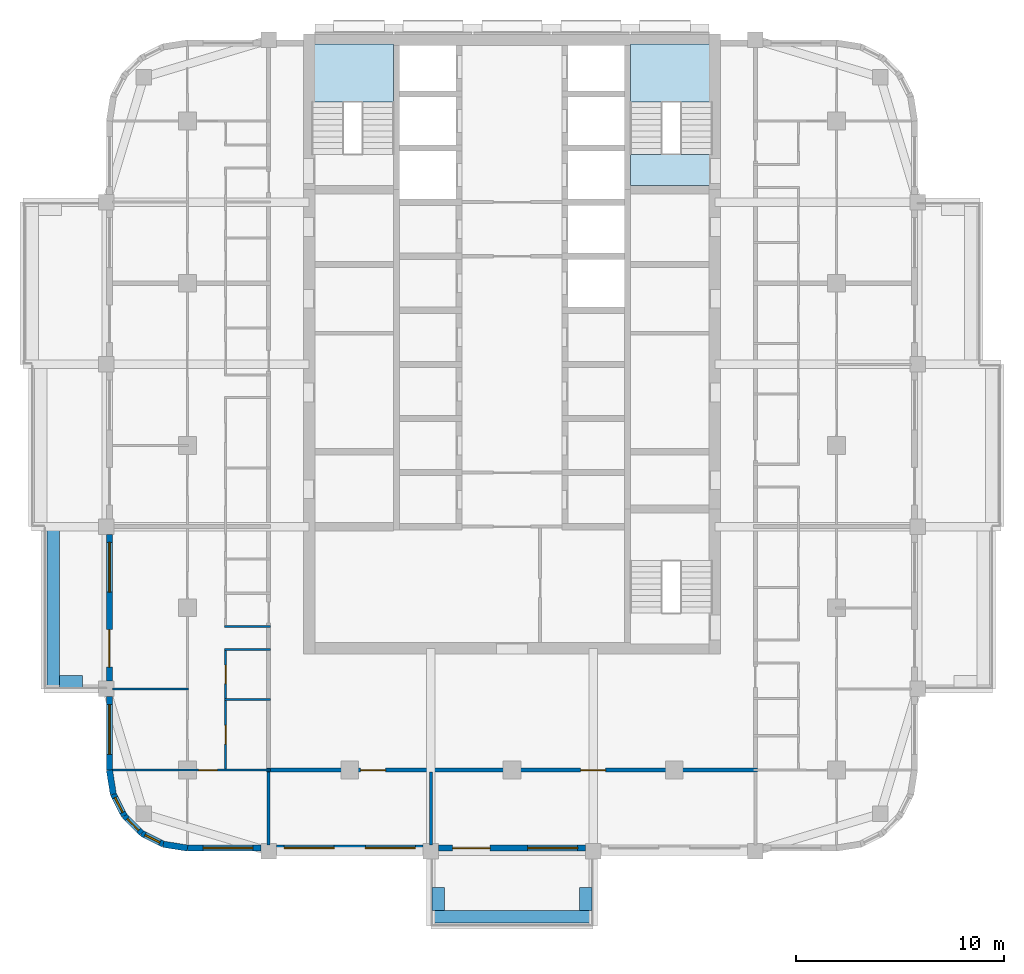
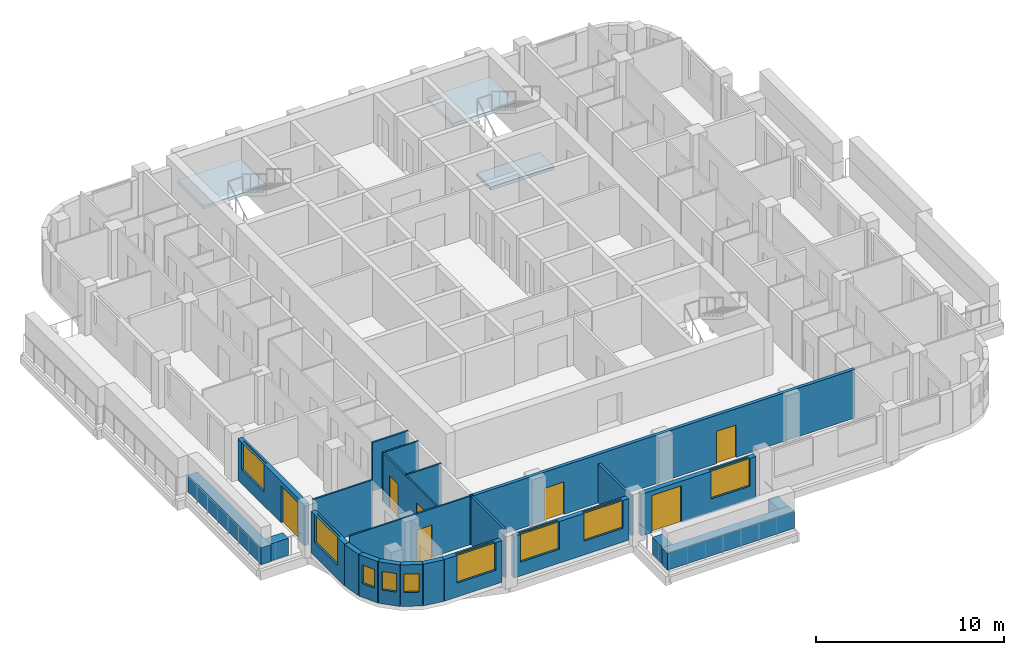
# One storey, part 2 of 13: 24 walls, 9 windows, 7 doors, 3 slabs, 16 openings, 2 elements without a shape of their own.
"""IFC4 building model written with IfcOpenShell, lengths in metres."""

import ifcopenshell
import ifcopenshell.guid

model = None  # the IFC model being written
_history = None  # IfcOwnerHistory: only IFC2X3 demands one
_inside = {}  # id of a spatial element -> (the spatial element, [elements in it])
_under = {}  # id of a project, library or spatial element -> (it, [spatial elements below it])
_declared = {}  # id of a project -> (the project, [libraries it declares])
_typed = {}  # id of a type object -> (the type object, [elements of that type])
_made_of = {}  # id of a material, layer set ... -> (it, [elements and type objects made of it])


def new_model(schema):
    """Start an empty IFC model of exactly this schema.

    Asked for "IFC4X3", IfcOpenShell would pick the latest addendum, in which some entities
    have other attributes; the version numbers below select the first issue.
    IFC2X3 requires an IfcOwnerHistory on every rooted entity: one is made here for all.
    """
    global model, _history
    if schema == "IFC4X3":
        model = ifcopenshell.file(schema_version=(4, 3, 0, 0))
    else:
        model = ifcopenshell.file(schema=schema)
    _inside.clear()
    _under.clear()
    _declared.clear()
    _typed.clear()
    _made_of.clear()
    _history = None
    if model.schema == "IFC2X3":
        org = make("IfcOrganization", Name="unknown")
        user = make(
            "IfcPersonAndOrganization",
            ThePerson=make("IfcPerson", FamilyName="unknown"),
            TheOrganization=org,
        )
        app = make(
            "IfcApplication",
            ApplicationDeveloper=org,
            Version="unknown",
            ApplicationFullName="unknown",
            ApplicationIdentifier="unknown",
        )
        _history = make(
            "IfcOwnerHistory",
            OwningUser=user,
            OwningApplication=app,
            ChangeAction="ADDED",
            CreationDate=0,
        )
    return model


def make(cls, **values):
    """One entity of the class cls with the attributes given. An attribute that is None is left unset."""
    return model.create_entity(
        cls, **{name: value for name, value in values.items() if value is not None}
    )


def rooted(cls, **values):
    """An entity with a GlobalId (a new one), such as an element, a storey or a relation."""
    return make(cls, GlobalId=ifcopenshell.guid.new(), OwnerHistory=_history, **values)


def si_unit(unit_type, name, prefix=None):
    """IfcSIUnit, for example si_unit("LENGTHUNIT", "METRE", prefix="MILLI")."""
    return make("IfcSIUnit", UnitType=unit_type, Prefix=prefix, Name=name)


def assignment(units):
    """IfcUnitAssignment: the units of a project."""
    return None if units is None else make("IfcUnitAssignment", Units=units)


def point(xyz):
    """IfcCartesianPoint."""
    return None if xyz is None else make("IfcCartesianPoint", Coordinates=xyz)


def direction(xyz):
    """IfcDirection."""
    return None if xyz is None else make("IfcDirection", DirectionRatios=xyz)


def frame(location, z_axis=None, x_axis=None):
    """IfcAxis2Placement3D, a coordinate frame: its origin and axes. An axis left out is left unset."""
    return make(
        "IfcAxis2Placement3D",
        Location=point(location),
        Axis=direction(z_axis),
        RefDirection=direction(x_axis),
    )


def frame_2d(location, x_axis=None):
    """IfcAxis2Placement2D, a coordinate frame in the plane: its origin and x axis."""
    return make(
        "IfcAxis2Placement2D", Location=point(location), RefDirection=direction(x_axis)
    )


def origin():
    """The frame at (0, 0, 0) with its axes left unset."""
    return frame((0.0, 0.0, 0.0))


def place(relative_to, where):
    """IfcLocalPlacement: puts the frame where relative to a parent placement (None: the world)."""
    return make(
        "IfcLocalPlacement", PlacementRelTo=relative_to, RelativePlacement=where
    )


def context(
    kind, dimensions, precision=None, world=None, true_north=None, identifier=None
):
    """IfcGeometricRepresentationContext, for example the 3D "Model" context."""
    return make(
        "IfcGeometricRepresentationContext",
        ContextIdentifier=identifier,
        ContextType=kind,
        CoordinateSpaceDimension=dimensions,
        Precision=precision,
        WorldCoordinateSystem=world,
        TrueNorth=true_north,
    )


def subcontext(parent, identifier, kind, view, scale=None):
    """IfcGeometricRepresentationSubContext, for example "Body" below "Model"."""
    return make(
        "IfcGeometricRepresentationSubContext",
        ContextIdentifier=identifier,
        ContextType=kind,
        ParentContext=parent,
        TargetScale=scale,
        TargetView=view,
    )


def project(units=None, contexts=None):
    """IfcProject with its units and contexts."""
    return rooted(
        "IfcProject",
        Name="project",
        RepresentationContexts=contexts,
        UnitsInContext=assignment(units),
    )


def spatial(cls, under=None, at=None, **own):
    """A site, building, storey or space (cls), placed at a placement, below another one or the project."""
    s = rooted(cls, ObjectPlacement=at, **own)
    if under is not None:
        _under.setdefault(under.id(), (under, []))[1].append(s)
    return s


def polyline(points):
    """IfcPolyline through the points."""
    return make("IfcPolyline", Points=[point(p) for p in points])


def profile(cls, at=None, kind="AREA", **sizes):
    """A parametric profile (cls). Its sizes go by their IFC names, for example OverallWidth=200.0."""
    return make(cls, ProfileType=kind, Position=at, **sizes)


def rectangle(**sizes):
    """IfcRectangleProfileDef."""
    return profile("IfcRectangleProfileDef", **sizes)


def outline(outer, holes=None, kind="AREA"):
    """IfcArbitraryClosedProfileDef: a profile drawn as a closed curve; with holes, ...WithVoids."""
    if holes is None:
        return make("IfcArbitraryClosedProfileDef", ProfileType=kind, OuterCurve=outer)
    return make(
        "IfcArbitraryProfileDefWithVoids",
        ProfileType=kind,
        OuterCurve=outer,
        InnerCurves=holes,
    )


def extrude(swept, where, along, depth):
    """IfcExtrudedAreaSolid: the profile swept, set in the frame where, extruded along a direction by depth."""
    return make(
        "IfcExtrudedAreaSolid",
        SweptArea=swept,
        Position=where,
        ExtrudedDirection=direction(along),
        Depth=depth,
    )


def shape(context_of_items, identifier, shape_type, items):
    """IfcShapeRepresentation: the items that make up one representation, for example the "Body"."""
    return make(
        "IfcShapeRepresentation",
        ContextOfItems=context_of_items,
        RepresentationIdentifier=identifier,
        RepresentationType=shape_type,
        Items=items,
    )


def material(Name=None, Category=None):
    """IfcMaterial."""
    return make("IfcMaterial", Name=Name, Category=Category)


def layer(
    of_material, thickness, ventilated=None, Name=None, Category=None, Priority=None
):
    """IfcMaterialLayer: one layer of a wall or slab, of a material (None: an air gap)."""
    return make(
        "IfcMaterialLayer",
        Material=of_material,
        LayerThickness=thickness,
        IsVentilated=ventilated,
        Name=Name,
        Category=Category,
        Priority=Priority,
    )


def layer_set(layers, Name=None):
    """IfcMaterialLayerSet."""
    return make("IfcMaterialLayerSet", MaterialLayers=layers, LayerSetName=Name)


def made_of(thing, what):
    """Note that an element or type object is made of a material, layer set ...; save() writes the relation."""
    if what is not None:
        _made_of.setdefault(what.id(), (what, []))[1].append(thing)
    return thing


def type_object(cls, material=None, **own):
    """A type object (cls), such as IfcWallType, which elements share."""
    return made_of(rooted(cls, **own), material)


def element(
    cls,
    number,
    at=None,
    inside=None,
    cuts=None,
    type_object=None,
    material=None,
    context=None,
    identifier="Body",
    shape_type=None,
    held_by="IfcProductDefinitionShape",
    body=None,
    shapes=None,
    **own,
):
    """One element of the class cls, such as IfcWall. Its Tag is "e" and its number.

    at: its placement. inside: the storey or other place that contains it. cuts: it is an
    opening in that element (IfcRelVoidsElement). A single representation is given by context,
    identifier, shape_type and body (its items); several are given by shapes. held_by: the class
    of the entity that holds the representations. save() writes the other relations.
    """
    e = rooted(cls, Tag="e%d" % number, ObjectPlacement=at, **own)
    if body is not None:
        shapes = [shape(context, identifier, shape_type, body)]
    if shapes is not None:
        e.Representation = make(held_by, Representations=shapes)
    if inside is not None:
        _inside.setdefault(inside.id(), (inside, []))[1].append(e)
    if cuts is not None:
        rooted(
            "IfcRelVoidsElement", RelatingBuildingElement=cuts, RelatedOpeningElement=e
        )
    if type_object is not None:
        _typed.setdefault(type_object.id(), (type_object, []))[1].append(e)
    return made_of(e, material)


def fill(opening, filler):
    """IfcRelFillsElement: the door or window that sits in an opening."""
    return rooted(
        "IfcRelFillsElement",
        RelatingOpeningElement=opening,
        RelatedBuildingElement=filler,
    )


def aggregate(whole, parts):
    """IfcRelAggregates: a whole, such as a stair, and the parts it consists of."""
    return rooted("IfcRelAggregates", RelatingObject=whole, RelatedObjects=parts)


def save(model, path):
    """Write the relations noted so far, then the file.

    IfcRelAggregates (storeys below a building ...), IfcRelContainedInSpatialStructure (elements
    in a storey), IfcRelDefinesByType, IfcRelAssociatesMaterial and IfcRelDeclares: one each for
    every whole, place, type object, material and project.
    """
    for whole, parts in _under.values():
        aggregate(whole, parts)
    for where, things in _inside.values():
        rooted(
            "IfcRelContainedInSpatialStructure",
            RelatedElements=things,
            RelatingStructure=where,
        )
    for kind, things in _typed.values():
        rooted("IfcRelDefinesByType", RelatedObjects=things, RelatingType=kind)
    for what, things in _made_of.values():
        rooted("IfcRelAssociatesMaterial", RelatedObjects=things, RelatingMaterial=what)
    for by, libraries in _declared.values():
        rooted("IfcRelDeclares", RelatingContext=by, RelatedDefinitions=libraries)
    model.write(path)


model = new_model("IFC4")

# Units and contexts
model_context = context("Model", 3, precision=1e-05, world=origin(), true_north=direction((0.0, 1.0)))
body_context = subcontext(model_context, "Body", "Model", "MODEL_VIEW")
ifc_project = project(units=[si_unit("LENGTHUNIT", "METRE"), si_unit("AREAUNIT", "SQUARE_METRE"), si_unit("VOLUMEUNIT", "CUBIC_METRE"), si_unit("PLANEANGLEUNIT", "RADIAN"), si_unit("MASSUNIT", "GRAM", prefix="KILO")], contexts=[model_context])

# Site, building, storey
site_placement = place(None, origin())
site = spatial("IfcSite", under=ifc_project, at=site_placement, CompositionType="ELEMENT")
building_placement = place(site_placement, origin())
building = spatial("IfcBuilding", under=site, at=building_placement, Name="Ludao Terraces", CompositionType="ELEMENT")
storey_placement = place(building_placement, frame((0.0, 0.0, 158.800048828125)))
storey = spatial("IfcBuildingStorey", under=building, at=storey_placement, Name="L43", CompositionType="ELEMENT", Elevation=158.800048828125)

# Stair, slab
ifc_material_1 = material(Name="Concrete C40", Category="concrete")
stair_type = type_object("IfcStairType", Name="INT Stair", PredefinedType="HALF_TURN_STAIR", material=ifc_material_1)
stair_1_placement = place(storey_placement, origin())
stair_1 = element("IfcStair", 1, at=stair_1_placement, inside=storey, type_object=stair_type, Name="EXIT STAIR 1", PredefinedType="HALF_TURN_STAIR")
ifc_layer_1 = layer(ifc_material_1, 0.199951171875)
ifc_layer_set_1 = layer_set([ifc_layer_1], Name="INT Stair landing 200")
slab_type = type_object("IfcSlabType", Name="INT Stair landing 200", PredefinedType="LANDING", material=ifc_layer_set_1)
slab_1_placement = place(storey_placement, frame((0.0, 0.0, 1.5)))
slab_1 = element("IfcSlab", 2, at=slab_1_placement, type_object=slab_type, Name="ST1 landing 1", PredefinedType="LANDING", context=body_context, shape_type="SweptSolid", body=[
    extrude(outline(polyline([(75.39990234375, 81.52001953125), (79.300048828125, 81.52001953125), (79.300048828125, 84.300048828125), (75.39990234375, 84.300048828125), (75.39990234375, 81.52001953125)])), origin(), (0.0, 0.0, 1.0), 0.199951171875),
])
aggregate(stair_1, [slab_1])

# Stair, slabs
stair_2_placement = place(storey_placement, origin())
stair_2 = element("IfcStair", 3, at=stair_2_placement, inside=storey, type_object=stair_type, Name="EXIT STAIR 2", PredefinedType="HALF_TURN_STAIR")
slab_2_placement = place(storey_placement, frame((0.0, 0.0, 1.5)))
slab_2 = element("IfcSlab", 4, at=slab_2_placement, type_object=slab_type, Name="ST2 landing 1", PredefinedType="LANDING", context=body_context, shape_type="SweptSolid", body=[
    extrude(outline(polyline([(90.699951171875, 81.52001953125), (94.60009765625, 81.52001953125), (94.60009765625, 84.300048828125), (90.699951171875, 84.300048828125), (90.699951171875, 81.52001953125)])), origin(), (0.0, 0.0, 1.0), 0.199951171875),
])
slab_3_placement = place(storey_placement, frame((0.0, 0.0, -0.199951171875)))
slab_3 = element("IfcSlab", 5, at=slab_3_placement, type_object=slab_type, Name="ST2 landing 2", PredefinedType="LANDING", context=body_context, shape_type="SweptSolid", body=[
    extrude(outline(polyline([(90.699951171875, 77.5), (94.60009765625, 77.5), (94.60009765625, 79.0), (90.699951171875, 79.0), (90.699951171875, 77.5)])), origin(), (0.0, 0.0, 1.0), 0.199951171875),
])
aggregate(stair_2, [slab_2, slab_3])

# Walls
ifc_layer_2 = layer(ifc_material_1, 0.60009765625)
ifc_layer_set_2 = layer_set([ifc_layer_2], Name="ENV Planter trough 600")
wall_type_1 = type_object("IfcWallType", Name="ENV Planter trough 600", PredefinedType="USERDEFINED", material=ifc_layer_set_2)
wall_1_placement = place(storey_placement, frame((81.10009765625, 42.35009765625, 0.0), z_axis=(0.0, 0.0, 1.0), x_axis=(1.0, 0.0, 0.0)))
element("IfcWall", 6, at=wall_1_placement, inside=storey, type_object=wall_type_1, Name="PL-L43-S1", ObjectType="PLANTER", PredefinedType="USERDEFINED", context=body_context, shape_type="SweptSolid", body=[
    extrude(rectangle(XDim=7.7998046875, YDim=0.60009765625, at=frame_2d((3.89990234375, 0.0))), origin(), (0.0, 0.0, 1.0), 1.099853515625),
])
for number, where, z_axis, x_axis, name in (
    (7, (81.449951171875, 42.64990234375, 0.0), (0.0, 0.0, 1.0), (0.0, 1.0, 0.0), "PL-L43-S1-SA"),
    (8, (88.550048828125, 42.64990234375, 0.0), (0.0, 0.0, 1.0), (0.0, 1.0, 0.0), "PL-L43-S1-SB"),
):
    element("IfcWall", number, at=place(storey_placement, frame(where, z_axis=z_axis, x_axis=x_axis)), inside=storey, type_object=wall_type_1, Name=name, ObjectType="PLANTER", PredefinedType="USERDEFINED", context=body_context, shape_type="SweptSolid", body=[
        extrude(rectangle(XDim=1.10009765625, YDim=0.60009765625, at=frame_2d((0.550048828125, 0.0))), origin(), (0.0, 0.0, 1.0), 1.099853515625),
    ])
wall_2_placement = place(storey_placement, frame((62.949951171875, 53.300048828125, 0.0), z_axis=(0.0, 0.0, 1.0), x_axis=(0.0, 1.0, 0.0)))
element("IfcWall", 9, at=wall_2_placement, inside=storey, type_object=wall_type_1, Name="PL-L43-W1", ObjectType="PLANTER", PredefinedType="USERDEFINED", context=body_context, shape_type="SweptSolid", body=[
    extrude(rectangle(XDim=7.800048828125, YDim=0.60009765625, at=frame_2d((3.89990234375, 0.0))), origin(), (0.0, 0.0, 1.0), 1.099853515625),
])
wall_3_placement = place(storey_placement, frame((63.25, 53.64990234375, 0.0), z_axis=(0.0, 0.0, 1.0), x_axis=(1.0, 0.0, 0.0)))
element("IfcWall", 10, at=wall_3_placement, inside=storey, type_object=wall_type_1, Name="PL-L43-W1-SA", ObjectType="PLANTER", PredefinedType="USERDEFINED", context=body_context, shape_type="SweptSolid", body=[
    extrude(rectangle(XDim=1.10009765625, YDim=0.60009765625, at=frame_2d((0.550048828125, 0.0))), origin(), (0.0, 0.0, 1.0), 1.099853515625),
])

# Wall, opening, window
ifc_material_2 = material(Name="Granite cladding", Category="masonry")
ifc_layer_3 = layer(ifc_material_2, 0.0400390625, Category="stone")
ifc_material_3 = material(Name="Mineral wool")
ifc_layer_4 = layer(ifc_material_3, 0.06005859375)
ifc_layer_5 = layer(ifc_material_1, 0.199951171875, Category="concrete")
ifc_layer_set_3 = layer_set([ifc_layer_3, ifc_layer_4, ifc_layer_5], Name="ENV Stone-clad wall 300")
wall_type_2 = type_object("IfcWallType", Name="ENV Stone-clad wall 300", PredefinedType="SOLIDWALL", material=ifc_layer_set_3)
wall_4_placement = place(storey_placement, frame((69.39990234375, 45.64990234375, 0.0), z_axis=(0.0, 0.0, 1.0), x_axis=(1.0, 0.0, 0.0)))
wall_4 = element("IfcWall", 11, at=wall_4_placement, inside=storey, type_object=wall_type_2, Name="EW-L43-S1", PredefinedType="SOLIDWALL", context=body_context, shape_type="SweptSolid", body=[
    extrude(rectangle(XDim=3.525146484375, YDim=0.300048828125, at=frame_2d((1.7626953125, 0.0))), origin(), (0.0, 0.0, 1.0), 2.699951171875),
])
opening_1_placement = place(wall_4_placement, frame((0.75, 0.0, 0.89990234375)))
opening_1 = element("IfcOpeningElement", 12, at=opening_1_placement, cuts=wall_4, Name="Opening W1", PredefinedType="OPENING", context=body_context, shape_type="SweptSolid", body=[
    extrude(rectangle(XDim=2.39990234375, YDim=1.800048828125, at=frame_2d((1.199951171875, 0.89990234375))), frame((0.0, 0.16015625, 0.0), z_axis=(0.0, -1.0, 0.0), x_axis=(1.0, 0.0, 0.0)), (0.0, 0.0, 1.0), 0.320068359375),
])
ifc_material_4 = material(Name="Clear glass in aluminium frame", Category="aluminium")
ifc_layer_6 = layer(ifc_material_4, 0.06005859375)
ifc_layer_set_4 = layer_set([ifc_layer_6], Name="ENV Window W1 2400x1800")
window_type_1 = type_object("IfcWindowType", Name="ENV Window W1 2400x1800", PartitioningType="DOUBLE_PANEL_VERTICAL", PredefinedType="WINDOW", material=ifc_layer_set_4)
window_1_placement = place(opening_1_placement, origin())
window_1 = element("IfcWindow", 13, at=window_1_placement, inside=storey, type_object=window_type_1, Name="W-L43-S1-1", OverallHeight=1.800048828125, OverallWidth=2.39990234375, PartitioningType="DOUBLE_PANEL_VERTICAL", PredefinedType="WINDOW", context=body_context, shape_type="SweptSolid", body=[
    extrude(rectangle(XDim=2.39990234375, YDim=1.800048828125, at=frame_2d((1.199951171875, 0.89990234375))), frame((0.0, 0.030029296875, 0.0), z_axis=(0.0, -1.0, 0.0), x_axis=(1.0, 0.0, 0.0)), (0.0, 0.0, 1.0), 0.06005859375),
])
fill(opening_1, window_1)

# Wall, openings, windows
wall_5_placement = place(storey_placement, frame((73.675048828125, 45.64990234375, 0.0), z_axis=(0.0, 0.0, 1.0), x_axis=(1.0, 0.0, 0.0)))
wall_5 = element("IfcWall", 14, at=wall_5_placement, inside=storey, type_object=wall_type_2, Name="EW-L43-S2", PredefinedType="SOLIDWALL", context=body_context, shape_type="SweptSolid", body=[
    extrude(rectangle(XDim=7.050048828125, YDim=0.300048828125, at=frame_2d((3.52490234375, 0.0))), origin(), (0.0, 0.0, 1.0), 2.699951171875),
])
opening_2_placement = place(wall_5_placement, frame((0.375, 0.0, 0.89990234375)))
opening_2 = element("IfcOpeningElement", 15, at=opening_2_placement, cuts=wall_5, Name="Opening W1", PredefinedType="OPENING", context=body_context, shape_type="SweptSolid", body=[
    extrude(rectangle(XDim=2.39990234375, YDim=1.800048828125, at=frame_2d((1.199951171875, 0.89990234375))), frame((0.0, 0.16015625, 0.0), z_axis=(0.0, -1.0, 0.0), x_axis=(1.0, 0.0, 0.0)), (0.0, 0.0, 1.0), 0.320068359375),
])
opening_3_placement = place(wall_5_placement, frame((4.27490234375, 0.0, 0.89990234375)))
opening_3 = element("IfcOpeningElement", 16, at=opening_3_placement, cuts=wall_5, Name="Opening W1", PredefinedType="OPENING", context=body_context, shape_type="SweptSolid", body=[
    extrude(rectangle(XDim=2.39990234375, YDim=1.800048828125, at=frame_2d((1.199951171875, 0.89990234375))), frame((0.0, 0.16015625, 0.0), z_axis=(0.0, -1.0, 0.0), x_axis=(1.0, 0.0, 0.0)), (0.0, 0.0, 1.0), 0.320068359375),
])
window_2_placement = place(opening_2_placement, origin())
window_2 = element("IfcWindow", 17, at=window_2_placement, inside=storey, type_object=window_type_1, Name="W-L43-S2-1", OverallHeight=1.800048828125, OverallWidth=2.39990234375, PartitioningType="DOUBLE_PANEL_VERTICAL", PredefinedType="WINDOW", context=body_context, shape_type="SweptSolid", body=[
    extrude(rectangle(XDim=2.39990234375, YDim=1.800048828125, at=frame_2d((1.199951171875, 0.89990234375))), frame((0.0, 0.030029296875, 0.0), z_axis=(0.0, -1.0, 0.0), x_axis=(1.0, 0.0, 0.0)), (0.0, 0.0, 1.0), 0.06005859375),
])
fill(opening_2, window_2)
window_3_placement = place(opening_3_placement, origin())
window_3 = element("IfcWindow", 18, at=window_3_placement, inside=storey, type_object=window_type_1, Name="W-L43-S2-2", OverallHeight=1.800048828125, OverallWidth=2.39990234375, PartitioningType="DOUBLE_PANEL_VERTICAL", PredefinedType="WINDOW", context=body_context, shape_type="SweptSolid", body=[
    extrude(rectangle(XDim=2.39990234375, YDim=1.800048828125, at=frame_2d((1.199951171875, 0.89990234375))), frame((0.0, 0.030029296875, 0.0), z_axis=(0.0, -1.0, 0.0), x_axis=(1.0, 0.0, 0.0)), (0.0, 0.0, 1.0), 0.06005859375),
])
fill(opening_3, window_3)

# Wall, openings, door, window
wall_6_placement = place(storey_placement, frame((81.47509765625, 45.64990234375, 0.0), z_axis=(0.0, 0.0, 1.0), x_axis=(1.0, 0.0, 0.0)))
wall_6 = element("IfcWall", 19, at=wall_6_placement, inside=storey, type_object=wall_type_2, Name="EW-L43-S3", PredefinedType="SOLIDWALL", context=body_context, shape_type="SweptSolid", body=[
    extrude(rectangle(XDim=7.0498046875, YDim=0.300048828125, at=frame_2d((3.52490234375, 0.0))), origin(), (0.0, 0.0, 1.0), 2.699951171875),
])
opening_4_placement = place(wall_6_placement, frame((0.675048828125, 0.0, 0.0)))
opening_4 = element("IfcOpeningElement", 20, at=opening_4_placement, cuts=wall_6, Name="Opening BD", PredefinedType="OPENING", context=body_context, shape_type="SweptSolid", body=[
    extrude(rectangle(XDim=1.800048828125, YDim=2.39990234375, at=frame_2d((0.89990234375, 1.199951171875))), frame((0.0, 0.16015625, 0.0), z_axis=(0.0, -1.0, 0.0), x_axis=(1.0, 0.0, 0.0)), (0.0, 0.0, 1.0), 0.320068359375),
])
opening_5_placement = place(wall_6_placement, frame((4.27490234375, 0.0, 0.89990234375)))
opening_5 = element("IfcOpeningElement", 21, at=opening_5_placement, cuts=wall_6, Name="Opening W1", PredefinedType="OPENING", context=body_context, shape_type="SweptSolid", body=[
    extrude(rectangle(XDim=2.39990234375, YDim=1.800048828125, at=frame_2d((1.199951171875, 0.89990234375))), frame((0.0, 0.16015625, 0.0), z_axis=(0.0, -1.0, 0.0), x_axis=(1.0, 0.0, 0.0)), (0.0, 0.0, 1.0), 0.320068359375),
])
ifc_material_5 = material(Name="Aluminium glazed door", Category="aluminium")
ifc_layer_7 = layer(ifc_material_5, 0.06005859375)
ifc_layer_set_5 = layer_set([ifc_layer_7], Name="ENV Balcony door BD 1800x2400")
door_type_1 = type_object("IfcDoorType", Name="ENV Balcony door BD 1800x2400", OperationType="DOUBLE_DOOR_SINGLE_SWING", PredefinedType="DOOR", material=ifc_layer_set_5)
door_1_placement = place(opening_4_placement, origin())
door_1 = element("IfcDoor", 22, at=door_1_placement, inside=storey, type_object=door_type_1, Name="BD-L43-S3-1", OperationType="DOUBLE_DOOR_SINGLE_SWING", OverallHeight=2.39990234375, OverallWidth=1.800048828125, PredefinedType="DOOR", context=body_context, shape_type="SweptSolid", body=[
    extrude(rectangle(XDim=1.800048828125, YDim=2.39990234375, at=frame_2d((0.89990234375, 1.199951171875))), frame((0.0, 0.02490234375, 0.0), z_axis=(0.0, -1.0, 0.0), x_axis=(1.0, 0.0, 0.0)), (0.0, 0.0, 1.0), 0.050048828125),
])
fill(opening_4, door_1)
window_4_placement = place(opening_5_placement, origin())
window_4 = element("IfcWindow", 23, at=window_4_placement, inside=storey, type_object=window_type_1, Name="W-L43-S3-2", OverallHeight=1.800048828125, OverallWidth=2.39990234375, PartitioningType="DOUBLE_PANEL_VERTICAL", PredefinedType="WINDOW", context=body_context, shape_type="SweptSolid", body=[
    extrude(rectangle(XDim=2.39990234375, YDim=1.800048828125, at=frame_2d((1.199951171875, 0.89990234375))), frame((0.0, 0.030029296875, 0.0), z_axis=(0.0, -1.0, 0.0), x_axis=(1.0, 0.0, 0.0)), (0.0, 0.0, 1.0), 0.06005859375),
])
fill(opening_5, window_4)

# Wall, opening, window
wall_7_placement = place(storey_placement, frame((65.64990234375, 49.39990234375, 0.0), z_axis=(0.0, 0.0, 1.0), x_axis=(0.0, 1.0, 0.0)))
wall_7 = element("IfcWall", 24, at=wall_7_placement, inside=storey, type_object=wall_type_2, Name="EW-L43-W1", PredefinedType="SOLIDWALL", context=body_context, shape_type="SweptSolid", body=[
    extrude(rectangle(XDim=3.525146484375, YDim=0.300048828125, at=frame_2d((1.7626953125, 0.0))), origin(), (0.0, 0.0, 1.0), 2.699951171875),
])
opening_6_placement = place(wall_7_placement, frame((0.75, 0.0, 0.89990234375)))
opening_6 = element("IfcOpeningElement", 25, at=opening_6_placement, cuts=wall_7, Name="Opening W1", PredefinedType="OPENING", context=body_context, shape_type="SweptSolid", body=[
    extrude(rectangle(XDim=2.39990234375, YDim=1.800048828125, at=frame_2d((1.199951171875, 0.89990234375))), frame((0.0, 0.16015625, 0.0), z_axis=(0.0, -1.0, 0.0), x_axis=(1.0, 0.0, 0.0)), (0.0, 0.0, 1.0), 0.320068359375),
])
window_5_placement = place(opening_6_placement, origin())
window_5 = element("IfcWindow", 26, at=window_5_placement, inside=storey, type_object=window_type_1, Name="W-L43-W1-1", OverallHeight=1.800048828125, OverallWidth=2.39990234375, PartitioningType="DOUBLE_PANEL_VERTICAL", PredefinedType="WINDOW", context=body_context, shape_type="SweptSolid", body=[
    extrude(rectangle(XDim=2.39990234375, YDim=1.800048828125, at=frame_2d((1.199951171875, 0.89990234375))), frame((0.0, 0.030029296875, 0.0), z_axis=(0.0, -1.0, 0.0), x_axis=(1.0, 0.0, 0.0)), (0.0, 0.0, 1.0), 0.06005859375),
])
fill(opening_6, window_5)

# Wall, openings, door, window
wall_8_placement = place(storey_placement, frame((65.64990234375, 53.675048828125, 0.0), z_axis=(0.0, 0.0, 1.0), x_axis=(0.0, 1.0, 0.0)))
wall_8 = element("IfcWall", 27, at=wall_8_placement, inside=storey, type_object=wall_type_2, Name="EW-L43-W2", PredefinedType="SOLIDWALL", context=body_context, shape_type="SweptSolid", body=[
    extrude(rectangle(XDim=7.050048828125, YDim=0.300048828125, at=frame_2d((3.52490234375, 0.0))), origin(), (0.0, 0.0, 1.0), 2.699951171875),
])
opening_7_placement = place(wall_8_placement, frame((0.675048828125, 0.0, 0.0)))
opening_7 = element("IfcOpeningElement", 28, at=opening_7_placement, cuts=wall_8, Name="Opening BD", PredefinedType="OPENING", context=body_context, shape_type="SweptSolid", body=[
    extrude(rectangle(XDim=1.800048828125, YDim=2.39990234375, at=frame_2d((0.89990234375, 1.199951171875))), frame((0.0, 0.16015625, 0.0), z_axis=(0.0, -1.0, 0.0), x_axis=(1.0, 0.0, 0.0)), (0.0, 0.0, 1.0), 0.320068359375),
])
opening_8_placement = place(wall_8_placement, frame((4.27490234375, 0.0, 0.89990234375)))
opening_8 = element("IfcOpeningElement", 29, at=opening_8_placement, cuts=wall_8, Name="Opening W1", PredefinedType="OPENING", context=body_context, shape_type="SweptSolid", body=[
    extrude(rectangle(XDim=2.39990234375, YDim=1.800048828125, at=frame_2d((1.199951171875, 0.89990234375))), frame((0.0, 0.16015625, 0.0), z_axis=(0.0, -1.0, 0.0), x_axis=(1.0, 0.0, 0.0)), (0.0, 0.0, 1.0), 0.320068359375),
])
door_2_placement = place(opening_7_placement, origin())
door_2 = element("IfcDoor", 30, at=door_2_placement, inside=storey, type_object=door_type_1, Name="BD-L43-W2-1", OperationType="DOUBLE_DOOR_SINGLE_SWING", OverallHeight=2.39990234375, OverallWidth=1.800048828125, PredefinedType="DOOR", context=body_context, shape_type="SweptSolid", body=[
    extrude(rectangle(XDim=1.800048828125, YDim=2.39990234375, at=frame_2d((0.89990234375, 1.199951171875))), frame((0.0, 0.02490234375, 0.0), z_axis=(0.0, -1.0, 0.0), x_axis=(1.0, 0.0, 0.0)), (0.0, 0.0, 1.0), 0.050048828125),
])
fill(opening_7, door_2)
window_6_placement = place(opening_8_placement, origin())
window_6 = element("IfcWindow", 31, at=window_6_placement, inside=storey, type_object=window_type_1, Name="W-L43-W2-2", OverallHeight=1.800048828125, OverallWidth=2.39990234375, PartitioningType="DOUBLE_PANEL_VERTICAL", PredefinedType="WINDOW", context=body_context, shape_type="SweptSolid", body=[
    extrude(rectangle(XDim=2.39990234375, YDim=1.800048828125, at=frame_2d((1.199951171875, 0.89990234375))), frame((0.0, 0.030029296875, 0.0), z_axis=(0.0, -1.0, 0.0), x_axis=(1.0, 0.0, 0.0)), (0.0, 0.0, 1.0), 0.06005859375),
])
fill(opening_8, window_6)

# Wall
wall_9_placement = place(storey_placement, frame((65.64990234375, 49.39990234375, 0.0), z_axis=(0.0, 0.0, 1.0), x_axis=(0.156496880861, -0.987678452879, 0.0)))
element("IfcWall", 32, at=wall_9_placement, inside=storey, type_object=wall_type_2, Name="EW-L43-SW1", PredefinedType="SOLIDWALL", context=body_context, shape_type="SweptSolid", body=[
    extrude(rectangle(XDim=1.173095703125, YDim=0.300048828125, at=frame_2d((0.58642578125, 0.0))), origin(), (0.0, 0.0, 1.0), 2.699951171875),
])

# Wall, opening, window
wall_10_placement = place(storey_placement, frame((65.83349609375, 48.2412109375, 0.0), z_axis=(0.0, 0.0, 1.0), x_axis=(0.454025524128, -0.890988677504, 0.0)))
wall_10 = element("IfcWall", 33, at=wall_10_placement, inside=storey, type_object=wall_type_2, Name="EW-L43-SW2", PredefinedType="SOLIDWALL", context=body_context, shape_type="SweptSolid", body=[
    extrude(rectangle(XDim=1.17333984375, YDim=0.300048828125, at=frame_2d((0.586669921875, 0.0))), origin(), (0.0, 0.0, 1.0), 2.699951171875),
])
opening_9_placement = place(wall_10_placement, frame((0.1865234375, 0.0, 0.89990234375)))
opening_9 = element("IfcOpeningElement", 34, at=opening_9_placement, cuts=wall_10, Name="Opening W3", PredefinedType="OPENING", context=body_context, shape_type="SweptSolid", body=[
    extrude(rectangle(XDim=0.800048828125, YDim=1.199951171875, at=frame_2d((0.39990234375, 0.60009765625))), frame((0.0, 0.16015625, 0.0), z_axis=(0.0, -1.0, 0.0), x_axis=(1.0, 0.0, 0.0)), (0.0, 0.0, 1.0), 0.320068359375),
])
ifc_layer_8 = layer(ifc_material_4, 0.06005859375)
ifc_layer_set_6 = layer_set([ifc_layer_8], Name="ENV Window W3 800x1200")
window_type_2 = type_object("IfcWindowType", Name="ENV Window W3 800x1200", PartitioningType="SINGLE_PANEL", PredefinedType="WINDOW", material=ifc_layer_set_6)
window_7_placement = place(opening_9_placement, origin())
window_7 = element("IfcWindow", 35, at=window_7_placement, inside=storey, type_object=window_type_2, Name="W-L43-SW2", OverallHeight=1.199951171875, OverallWidth=0.800048828125, PartitioningType="SINGLE_PANEL", PredefinedType="WINDOW", context=body_context, shape_type="SweptSolid", body=[
    extrude(rectangle(XDim=0.800048828125, YDim=1.199951171875, at=frame_2d((0.39990234375, 0.60009765625))), frame((0.0, 0.030029296875, 0.0), z_axis=(0.0, -1.0, 0.0), x_axis=(1.0, 0.0, 0.0)), (0.0, 0.0, 1.0), 0.06005859375),
])
fill(opening_9, window_7)

wall_11_placement = place(storey_placement, frame((66.3662109375, 47.19580078125, 0.0), z_axis=(0.0, 0.0, 1.0), x_axis=(0.707106781187, -0.707106781187, 0.0)))
wall_11 = element("IfcWall", 36, at=wall_11_placement, inside=storey, type_object=wall_type_2, Name="EW-L43-SW3", PredefinedType="SOLIDWALL", context=body_context, shape_type="SweptSolid", body=[
    extrude(rectangle(XDim=1.173095703125, YDim=0.300048828125, at=frame_2d((0.58642578125, 0.0))), origin(), (0.0, 0.0, 1.0), 2.699951171875),
])
opening_10_placement = place(wall_11_placement, frame((0.1865234375, 0.0, 0.89990234375)))
opening_10 = element("IfcOpeningElement", 37, at=opening_10_placement, cuts=wall_11, Name="Opening W3", PredefinedType="OPENING", context=body_context, shape_type="SweptSolid", body=[
    extrude(rectangle(XDim=0.800048828125, YDim=1.199951171875, at=frame_2d((0.39990234375, 0.60009765625))), frame((0.0, 0.16015625, 0.0), z_axis=(0.0, -1.0, 0.0), x_axis=(1.0, 0.0, 0.0)), (0.0, 0.0, 1.0), 0.320068359375),
])
window_8_placement = place(opening_10_placement, origin())
window_8 = element("IfcWindow", 38, at=window_8_placement, inside=storey, type_object=window_type_2, Name="W-L43-SW3", OverallHeight=1.199951171875, OverallWidth=0.800048828125, PartitioningType="SINGLE_PANEL", PredefinedType="WINDOW", context=body_context, shape_type="SweptSolid", body=[
    extrude(rectangle(XDim=0.800048828125, YDim=1.199951171875, at=frame_2d((0.39990234375, 0.60009765625))), frame((0.0, 0.030029296875, 0.0), z_axis=(0.0, -1.0, 0.0), x_axis=(1.0, 0.0, 0.0)), (0.0, 0.0, 1.0), 0.06005859375),
])
fill(opening_10, window_8)

wall_12_placement = place(storey_placement, frame((67.19580078125, 46.3662109375, 0.0), z_axis=(0.0, 0.0, 1.0), x_axis=(0.890988677504, -0.454025524128, 0.0)))
wall_12 = element("IfcWall", 39, at=wall_12_placement, inside=storey, type_object=wall_type_2, Name="EW-L43-SW4", PredefinedType="SOLIDWALL", context=body_context, shape_type="SweptSolid", body=[
    extrude(rectangle(XDim=1.17333984375, YDim=0.300048828125, at=frame_2d((0.586669921875, 0.0))), origin(), (0.0, 0.0, 1.0), 2.699951171875),
])
opening_11_placement = place(wall_12_placement, frame((0.1865234375, 0.0, 0.89990234375)))
opening_11 = element("IfcOpeningElement", 40, at=opening_11_placement, cuts=wall_12, Name="Opening W3", PredefinedType="OPENING", context=body_context, shape_type="SweptSolid", body=[
    extrude(rectangle(XDim=0.800048828125, YDim=1.199951171875, at=frame_2d((0.39990234375, 0.60009765625))), frame((0.0, 0.16015625, 0.0), z_axis=(0.0, -1.0, 0.0), x_axis=(1.0, 0.0, 0.0)), (0.0, 0.0, 1.0), 0.320068359375),
])
window_9_placement = place(opening_11_placement, origin())
window_9 = element("IfcWindow", 41, at=window_9_placement, inside=storey, type_object=window_type_2, Name="W-L43-SW4", OverallHeight=1.199951171875, OverallWidth=0.800048828125, PartitioningType="SINGLE_PANEL", PredefinedType="WINDOW", context=body_context, shape_type="SweptSolid", body=[
    extrude(rectangle(XDim=0.800048828125, YDim=1.199951171875, at=frame_2d((0.39990234375, 0.60009765625))), frame((0.0, 0.030029296875, 0.0), z_axis=(0.0, -1.0, 0.0), x_axis=(1.0, 0.0, 0.0)), (0.0, 0.0, 1.0), 0.06005859375),
])
fill(opening_11, window_9)

# Wall
wall_13_placement = place(storey_placement, frame((68.2412109375, 45.83349609375, 0.0), z_axis=(0.0, 0.0, 1.0), x_axis=(0.987678452879, -0.156496880861, 0.0)))
element("IfcWall", 42, at=wall_13_placement, inside=storey, type_object=wall_type_2, Name="EW-L43-SW5", PredefinedType="SOLIDWALL", context=body_context, shape_type="SweptSolid", body=[
    extrude(rectangle(XDim=1.173095703125, YDim=0.300048828125, at=frame_2d((0.58642578125, 0.0))), origin(), (0.0, 0.0, 1.0), 2.699951171875),
])

# Wall, openings, doors
ifc_material_6 = material(Name="Autoclaved aerated concrete block B06 A3.5", Category="concrete")
ifc_layer_9 = layer(ifc_material_6, 0.199951171875)
ifc_layer_set_7 = layer_set([ifc_layer_9], Name="INT Entrance wall 200")
wall_type_3 = type_object("IfcWallType", Name="INT Entrance wall 200", PredefinedType="PARTITIONING", material=ifc_layer_set_7)
wall_14_placement = place(storey_placement, frame((73.2001953125, 49.39990234375, 0.0), z_axis=(0.0, 0.0, 1.0), x_axis=(1.0, 0.0, 0.0)))
wall_14 = element("IfcWall", 43, at=wall_14_placement, inside=storey, type_object=wall_type_3, Name="PW-L43-PW001", PredefinedType="PARTITIONING", context=body_context, shape_type="SweptSolid", body=[
    extrude(rectangle(XDim=23.599853515625, YDim=0.199951171875, at=frame_2d((11.7998046875, 0.0))), origin(), (0.0, 0.0, 1.0), 3.14990234375),
])
opening_12_placement = place(wall_14_placement, frame((4.52490234375, 0.0, 0.0)))
opening_12 = element("IfcOpeningElement", 44, at=opening_12_placement, cuts=wall_14, Name="Opening R15-004", PredefinedType="OPENING", context=body_context, shape_type="SweptSolid", body=[
    extrude(rectangle(XDim=1.199951171875, YDim=2.10009765625, at=frame_2d((0.60009765625, 1.050048828125))), frame((0.0, 0.10986328125, 0.0), z_axis=(0.0, -1.0, 0.0), x_axis=(1.0, 0.0, 0.0)), (0.0, 0.0, 1.0), 0.219970703125),
])
opening_13_placement = place(wall_14_placement, frame((15.099853515625, 0.0, 0.0)))
opening_13 = element("IfcOpeningElement", 45, at=opening_13_placement, cuts=wall_14, Name="Opening R15-005", PredefinedType="OPENING", context=body_context, shape_type="SweptSolid", body=[
    extrude(rectangle(XDim=1.199951171875, YDim=2.10009765625, at=frame_2d((0.60009765625, 1.050048828125))), frame((0.0, 0.10986328125, 0.0), z_axis=(0.0, -1.0, 0.0), x_axis=(1.0, 0.0, 0.0)), (0.0, 0.0, 1.0), 0.219970703125),
])
ifc_material_7 = material(Name="Timber door leaf", Category="wood")
door_type_2 = type_object("IfcDoorType", Name="INT Double door 1200", OperationType="DOUBLE_DOOR_SINGLE_SWING", PredefinedType="DOOR", material=ifc_material_7)
door_3_placement = place(opening_12_placement, origin())
door_3 = element("IfcDoor", 46, at=door_3_placement, inside=storey, type_object=door_type_2, Name="DOOR 004", OperationType="DOUBLE_DOOR_SINGLE_SWING", OverallHeight=2.10009765625, OverallWidth=1.199951171875, PredefinedType="DOOR", context=body_context, shape_type="SweptSolid", body=[
    extrude(rectangle(XDim=1.199951171875, YDim=2.10009765625, at=frame_2d((0.60009765625, 1.050048828125))), frame((0.0, 0.02490234375, 0.0), z_axis=(0.0, -1.0, 0.0), x_axis=(1.0, 0.0, 0.0)), (0.0, 0.0, 1.0), 0.050048828125),
])
fill(opening_12, door_3)
door_4_placement = place(opening_13_placement, origin())
door_4 = element("IfcDoor", 47, at=door_4_placement, inside=storey, type_object=door_type_2, Name="DOOR 005", OperationType="DOUBLE_DOOR_SINGLE_SWING", OverallHeight=2.10009765625, OverallWidth=1.199951171875, PredefinedType="DOOR", context=body_context, shape_type="SweptSolid", body=[
    extrude(rectangle(XDim=1.199951171875, YDim=2.10009765625, at=frame_2d((0.60009765625, 1.050048828125))), frame((0.0, 0.02490234375, 0.0), z_axis=(0.0, -1.0, 0.0), x_axis=(1.0, 0.0, 0.0)), (0.0, 0.0, 1.0), 0.050048828125),
])
fill(opening_13, door_4)

# Wall, opening, door
ifc_material_8 = material(Name="Gypsum plasterboard", Category="gypsum")
ifc_layer_10 = layer(ifc_material_8, 0.012451171875, Category="gypsum")
ifc_layer_11 = layer(ifc_material_3, 0.06005859375, Name="insulation")
ifc_material_9 = material(Name="Steel Q235", Category="steel")
ifc_layer_12 = layer(ifc_material_9, 0.014892578125, Name="stud")
ifc_layer_13 = layer(ifc_material_8, 0.012451171875, Category="gypsum")
ifc_layer_set_8 = layer_set([ifc_layer_10, ifc_layer_11, ifc_layer_12, ifc_layer_13], Name="INT Partition 100")
wall_type_4 = type_object("IfcWallType", Name="INT Partition 100", PredefinedType="PARTITIONING", material=ifc_layer_set_8)
wall_15_placement = place(storey_placement, frame((65.800048828125, 49.39990234375, 0.0), z_axis=(0.0, 0.0, 1.0), x_axis=(1.0, 0.0, 0.0)))
wall_15 = element("IfcWall", 48, at=wall_15_placement, inside=storey, type_object=wall_type_4, Name="PW-L43-PW000", PredefinedType="PARTITIONING", context=body_context, shape_type="SweptSolid", body=[
    extrude(rectangle(XDim=7.60009765625, YDim=0.10009765625, at=frame_2d((3.800048828125, 0.0))), origin(), (0.0, 0.0, 1.0), 3.14990234375),
])
opening_14_placement = place(wall_15_placement, frame((4.139892578125, 0.0, 0.0)))
opening_14 = element("IfcOpeningElement", 49, at=opening_14_placement, cuts=wall_15, Name="Opening R15-003", PredefinedType="OPENING", context=body_context, shape_type="SweptSolid", body=[
    extrude(rectangle(XDim=0.89990234375, YDim=2.10009765625, at=frame_2d((0.449951171875, 1.050048828125))), frame((0.0, 0.06005859375, 0.0), z_axis=(0.0, -1.0, 0.0), x_axis=(1.0, 0.0, 0.0)), (0.0, 0.0, 1.0), 0.1201171875),
])
door_type_3 = type_object("IfcDoorType", Name="INT Room door 900", OperationType="SINGLE_SWING_LEFT", PredefinedType="DOOR", material=ifc_material_7)
door_5_placement = place(opening_14_placement, origin())
door_5 = element("IfcDoor", 50, at=door_5_placement, inside=storey, type_object=door_type_3, Name="DOOR 003", OperationType="SINGLE_SWING_RIGHT", OverallHeight=2.10009765625, OverallWidth=0.89990234375, PredefinedType="DOOR", context=body_context, shape_type="SweptSolid", body=[
    extrude(rectangle(XDim=0.89990234375, YDim=2.10009765625, at=frame_2d((0.449951171875, 1.050048828125))), frame((0.0, 0.02490234375, 0.0), z_axis=(0.0, -1.0, 0.0), x_axis=(1.0, 0.0, 0.0)), (0.0, 0.0, 1.0), 0.050048828125),
])
fill(opening_14, door_5)

# Walls
wall_16_placement = place(storey_placement, frame((71.18017578125, 52.800048828125, 0.0), z_axis=(0.0, 0.0, 1.0), x_axis=(1.0, 0.0, 0.0)))
element("IfcWall", 51, at=wall_16_placement, inside=storey, type_object=wall_type_4, Name="PW-L43-PW004", PredefinedType="PARTITIONING", context=body_context, shape_type="SweptSolid", body=[
    extrude(rectangle(XDim=2.219970703125, YDim=0.10009765625, at=frame_2d((1.10986328125, 0.0))), origin(), (0.0, 0.0, 1.0), 3.14990234375),
])
wall_17_placement = place(storey_placement, frame((65.800048828125, 53.300048828125, 0.0), z_axis=(0.0, 0.0, 1.0), x_axis=(1.0, 0.0, 0.0)))
element("IfcWall", 52, at=wall_17_placement, inside=storey, type_object=wall_type_4, Name="PW-L43-PW006", PredefinedType="PARTITIONING", context=body_context, shape_type="SweptSolid", body=[
    extrude(rectangle(XDim=3.650146484375, YDim=0.10009765625, at=frame_2d((1.8251953125, 0.0))), origin(), (0.0, 0.0, 1.0), 3.14990234375),
])
for number, where, z_axis, x_axis, name in (
    (53, (71.18017578125, 55.199951171875, 0.0), (0.0, 0.0, 1.0), (1.0, 0.0, 0.0), "PW-L43-PW009"),
    (54, (71.18017578125, 56.300048828125, 0.0), (0.0, 0.0, 1.0), (1.0, 0.0, 0.0), "PW-L43-PW011"),
):
    element("IfcWall", number, at=place(storey_placement, frame(where, z_axis=z_axis, x_axis=x_axis)), inside=storey, type_object=wall_type_4, Name=name, PredefinedType="PARTITIONING", context=body_context, shape_type="SweptSolid", body=[
        extrude(rectangle(XDim=2.219970703125, YDim=0.10009765625, at=frame_2d((1.10986328125, 0.0))), origin(), (0.0, 0.0, 1.0), 3.14990234375),
    ])

# Wall, openings, doors
wall_18_placement = place(storey_placement, frame((71.22998046875, 49.4501953125, 0.0), z_axis=(0.0, 0.0, 1.0), x_axis=(0.0, 1.0, 0.0)))
wall_18 = element("IfcWall", 55, at=wall_18_placement, inside=storey, type_object=wall_type_4, Name="PW-L43-PW047", PredefinedType="PARTITIONING", context=body_context, shape_type="SweptSolid", body=[
    extrude(rectangle(XDim=5.699951171875, YDim=0.10009765625, at=frame_2d((2.85009765625, 0.0))), origin(), (0.0, 0.0, 1.0), 3.14990234375),
])
opening_15_placement = place(wall_18_placement, frame((1.199951171875, 0.0, 0.0)))
opening_15 = element("IfcOpeningElement", 56, at=opening_15_placement, cuts=wall_18, Name="Opening R15-008", PredefinedType="OPENING", context=body_context, shape_type="SweptSolid", body=[
    extrude(rectangle(XDim=0.89990234375, YDim=2.10009765625, at=frame_2d((0.449951171875, 1.050048828125))), frame((0.0, 0.06005859375, 0.0), z_axis=(0.0, -1.0, 0.0), x_axis=(1.0, 0.0, 0.0)), (0.0, 0.0, 1.0), 0.1201171875),
])
opening_16_placement = place(wall_18_placement, frame((4.099853515625, 0.0, 0.0)))
opening_16 = element("IfcOpeningElement", 57, at=opening_16_placement, cuts=wall_18, Name="Opening R15-014", PredefinedType="OPENING", context=body_context, shape_type="SweptSolid", body=[
    extrude(rectangle(XDim=0.89990234375, YDim=2.10009765625, at=frame_2d((0.449951171875, 1.050048828125))), frame((0.0, 0.06005859375, 0.0), z_axis=(0.0, -1.0, 0.0), x_axis=(1.0, 0.0, 0.0)), (0.0, 0.0, 1.0), 0.1201171875),
])
door_type_4 = type_object("IfcDoorType", Name="INT Bathroom door 900", OperationType="SINGLE_SWING_LEFT", PredefinedType="DOOR", material=ifc_material_7)
door_6_placement = place(opening_16_placement, origin())
door_6 = element("IfcDoor", 58, at=door_6_placement, inside=storey, type_object=door_type_4, Name="DOOR 014", OperationType="SINGLE_SWING_RIGHT", OverallHeight=2.10009765625, OverallWidth=0.89990234375, PredefinedType="DOOR", context=body_context, shape_type="SweptSolid", body=[
    extrude(rectangle(XDim=0.89990234375, YDim=2.10009765625, at=frame_2d((0.449951171875, 1.050048828125))), frame((0.0, 0.02490234375, 0.0), z_axis=(0.0, -1.0, 0.0), x_axis=(1.0, 0.0, 0.0)), (0.0, 0.0, 1.0), 0.050048828125),
])
fill(opening_16, door_6)
door_7_placement = place(opening_15_placement, origin())
door_7 = element("IfcDoor", 59, at=door_7_placement, inside=storey, type_object=door_type_3, Name="DOOR 008", OperationType="SINGLE_SWING_LEFT", OverallHeight=2.10009765625, OverallWidth=0.89990234375, PredefinedType="DOOR", context=body_context, shape_type="SweptSolid", body=[
    extrude(rectangle(XDim=0.89990234375, YDim=2.10009765625, at=frame_2d((0.449951171875, 1.050048828125))), frame((0.0, 0.02490234375, 0.0), z_axis=(0.0, -1.0, 0.0), x_axis=(1.0, 0.0, 0.0)), (0.0, 0.0, 1.0), 0.050048828125),
])
fill(opening_15, door_7)

# Walls
ifc_layer_14 = layer(ifc_material_6, 0.14990234375)
ifc_layer_set_9 = layer_set([ifc_layer_14], Name="INT Party wall 150")
wall_type_5 = type_object("IfcWallType", Name="INT Party wall 150", PredefinedType="PARTITIONING", material=ifc_layer_set_9)
wall_19_placement = place(storey_placement, frame((73.300048828125, 45.800048828125, 0.0), z_axis=(0.0, 0.0, 1.0), x_axis=(0.0, 1.0, 0.0)))
element("IfcWall", 60, at=wall_19_placement, inside=storey, type_object=wall_type_5, Name="PW-L43-PW051", PredefinedType="PARTITIONING", context=body_context, shape_type="SweptSolid", body=[
    extrude(rectangle(XDim=3.5, YDim=0.14990234375, at=frame_2d((1.75, 0.0))), origin(), (0.0, 0.0, 1.0), 3.14990234375),
])
wall_20_placement = place(storey_placement, frame((81.10009765625, 45.800048828125, 0.0), z_axis=(0.0, 0.0, 1.0), x_axis=(0.0, 1.0, 0.0)))
element("IfcWall", 61, at=wall_20_placement, inside=storey, type_object=wall_type_5, Name="PW-L43-PW053", PredefinedType="PARTITIONING", context=body_context, shape_type="SweptSolid", body=[
    extrude(rectangle(XDim=3.5, YDim=0.14990234375, at=frame_2d((1.75, 0.0))), origin(), (0.0, 0.0, 1.0), 2.5498046875),
])

save(model, "model.ifc")
